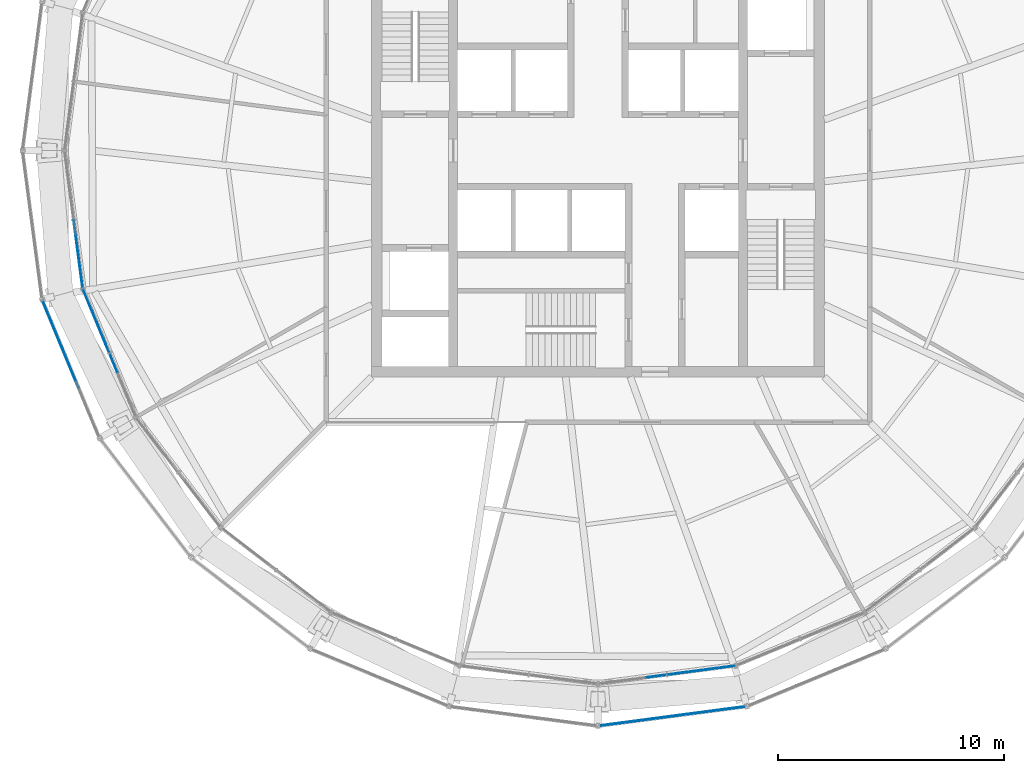
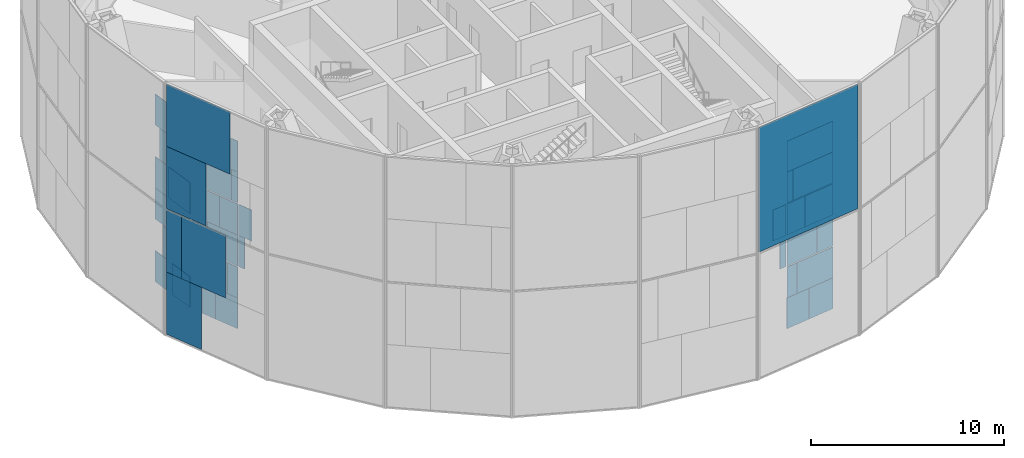
# One storey, part 13 of 26: 41 plates, 5 elements without a shape of their own.
"""IFC4 building model written with IfcOpenShell, lengths in metres."""

from ifc_helpers import new_model, si_unit, direction, frame, origin, origin_2d, place, context, subcontext, project, spatial, rectangle, extrude, material, layer, layer_set, type_object, element, aggregate, save


model = new_model("IFC4")

# Units and contexts
model_context = context("Model", 3, precision=1e-05, world=origin(), true_north=direction((0.0, 1.0)))
body_context = subcontext(model_context, "Body", "Model", "MODEL_VIEW")
ifc_project = project(units=[si_unit("LENGTHUNIT", "METRE"), si_unit("AREAUNIT", "SQUARE_METRE"), si_unit("VOLUMEUNIT", "CUBIC_METRE"), si_unit("PLANEANGLEUNIT", "RADIAN"), si_unit("MASSUNIT", "GRAM", prefix="KILO")], contexts=[model_context])

# Site, building, storey
site_placement = place(None, origin())
site = spatial("IfcSite", under=ifc_project, at=site_placement, CompositionType="ELEMENT")
building_placement = place(site_placement, origin())
building = spatial("IfcBuilding", under=site, at=building_placement, Name="Golbaran Civic Tower", CompositionType="ELEMENT")
storey_placement = place(building_placement, frame((0.0, 0.0, 199.0)))
storey = spatial("IfcBuildingStorey", under=building, at=storey_placement, Name="L48", CompositionType="ELEMENT", Elevation=199.0)

# Curtain wall, plates
ifc_material_1 = material(Name="Aluminium and glass", Category="aluminium")
curtain_wall_type_1 = type_object("IfcCurtainWallType", Name="INNER SKIN CURTAIN WALL EXECUTIVE", PredefinedType="NOTDEFINED", material=ifc_material_1)
curtain_wall_1_placement = place(storey_placement, origin())
curtain_wall_1 = element("IfcCurtainWall", 1, at=curtain_wall_1_placement, inside=storey, type_object=curtain_wall_type_1, Name="Inner skin L48 facet 13 CW2", ObjectType="INNER SKIN", PredefinedType="USERDEFINED")
ifc_material_2 = material(Name="Clear insulating glass", Category="glass")
ifc_layer_1 = layer(ifc_material_2, 0.031982421875, Name="Clear insulating glass")
ifc_layer_set_1 = layer_set([ifc_layer_1], Name="Clear insulating glass")
plate_type_1 = type_object("IfcPlateType", Name="INNER SKIN CURTAIN WALL EXECUTIVE GLAZED PANEL", PredefinedType="CURTAIN_PANEL", material=ifc_layer_set_1)
plate_1_placement = place(storey_placement, frame((-23.068115234375, -3.789794921875, 0.06005859375), z_axis=(0.0, 0.0, 1.0), x_axis=(0.130526192237, -0.991444861372, 0.0)))
plate_1 = element("IfcPlate", 2, at=plate_1_placement, type_object=plate_type_1, Name="CW2 panel 2.1 part 1", PredefinedType="CURTAIN_PANEL", context=body_context, shape_type="SweptSolid", body=[
    extrude(rectangle(XDim=1.43310546875, YDim=0.031982421875, at=origin_2d()), origin(), (0.0, 0.0, 1.0), 1.955078125),
])
plate_2_placement = place(storey_placement, frame((-22.839599609375, -5.52587890625, 4.02978515625), z_axis=(0.0, 0.0, 1.0), x_axis=(0.130526192237, -0.991444861372, 0.0)))
plate_2 = element("IfcPlate", 3, at=plate_2_placement, type_object=plate_type_1, Name="CW2 panel 2.2 part 2", PredefinedType="CURTAIN_PANEL", context=body_context, shape_type="SweptSolid", body=[
    extrude(rectangle(XDim=1.037109375, YDim=0.031982421875, at=origin_2d()), origin(), (0.0, 0.0, 1.0), 1.969970703125),
])
plate_3_placement = place(storey_placement, frame((-22.890625, -5.13671875, 6.0), z_axis=(0.0, 0.0, 1.0), x_axis=(0.130526192237, -0.991444861372, 0.0)))
plate_3 = element("IfcPlate", 4, at=plate_3_placement, type_object=plate_type_1, Name="CW2 panel 2.2 part 4", PredefinedType="CURTAIN_PANEL", context=body_context, shape_type="SweptSolid", body=[
    extrude(rectangle(XDim=1.822021484375, YDim=0.031982421875, at=origin_2d()), origin(), (0.0, 0.0, 1.0), 1.969970703125),
])
plate_4_placement = place(storey_placement, frame((-22.940673828125, -4.758056640625, 8.030029296875), z_axis=(0.0, 0.0, 1.0), x_axis=(0.130526192237, -0.991444861372, 0.0)))
plate_4 = element("IfcPlate", 5, at=plate_4_placement, type_object=plate_type_1, Name="CW2 panel 2.3 part 2", PredefinedType="CURTAIN_PANEL", context=body_context, shape_type="SweptSolid", body=[
    extrude(rectangle(XDim=2.586181640625, YDim=0.031982421875, at=origin_2d()), origin(), (0.0, 0.0, 1.0), 1.955078125),
])
plate_5_placement = place(storey_placement, frame((-22.966796875, -4.559814453125, 9.98486328125), z_axis=(0.0, 0.0, 1.0), x_axis=(0.130526192237, -0.991444861372, 0.0)))
plate_5 = element("IfcPlate", 6, at=plate_5_placement, type_object=plate_type_1, Name="CW2 panel 2.3 part 3", PredefinedType="CURTAIN_PANEL", context=body_context, shape_type="SweptSolid", body=[
    extrude(rectangle(XDim=2.986083984375, YDim=0.031982421875, at=origin_2d()), origin(), (0.0, 0.0, 1.0), 1.955078125),
])

curtain_wall_2_placement = place(storey_placement, origin())
curtain_wall_2 = element("IfcCurtainWall", 7, at=curtain_wall_2_placement, inside=storey, type_object=curtain_wall_type_1, Name="Inner skin L48 facet 14 CW2", ObjectType="INNER SKIN", PredefinedType="USERDEFINED")
plate_6_placement = place(storey_placement, frame((-21.87255859375, -8.251708984375, 0.06005859375), z_axis=(0.0, 0.0, 1.0), x_axis=(0.382683432349, -0.923879532518, 0.0)))
plate_6 = element("IfcPlate", 8, at=plate_6_placement, type_object=plate_type_1, Name="CW2 panel 1.1 part 2", PredefinedType="CURTAIN_PANEL", context=body_context, shape_type="SweptSolid", body=[
    extrude(rectangle(XDim=1.43310546875, YDim=0.031982421875, at=origin_2d()), origin(), (0.0, 0.0, 1.0), 1.955078125),
])
plate_7_placement = place(storey_placement, frame((-21.723388671875, -8.611572265625, 2.014892578125), z_axis=(0.0, 0.0, 1.0), x_axis=(0.382683432349, -0.923879532518, 0.0)))
plate_7 = element("IfcPlate", 9, at=plate_7_placement, type_object=plate_type_1, Name="CW2 panel 1.1 part 4", PredefinedType="CURTAIN_PANEL", context=body_context, shape_type="SweptSolid", body=[
    extrude(rectangle(XDim=0.654052734375, YDim=0.031982421875, at=origin_2d()), origin(), (0.0, 0.0, 1.0), 1.955078125),
])
plate_8_placement = place(storey_placement, frame((-22.54248046875, -6.634033203125, 4.02978515625), z_axis=(0.0, 0.0, 1.0), x_axis=(0.382683432349, -0.923879532518, 0.0)))
plate_8 = element("IfcPlate", 10, at=plate_8_placement, type_object=plate_type_1, Name="CW2 panel 1.2 part 1", PredefinedType="CURTAIN_PANEL", context=body_context, shape_type="SweptSolid", body=[
    extrude(rectangle(XDim=1.037109375, YDim=0.031982421875, at=origin_2d()), origin(), (0.0, 0.0, 1.0), 1.969970703125),
])
plate_9_placement = place(storey_placement, frame((-22.392333984375, -6.99658203125, 6.0), z_axis=(0.0, 0.0, 1.0), x_axis=(0.382683432349, -0.923879532518, 0.0)))
plate_9 = element("IfcPlate", 11, at=plate_9_placement, type_object=plate_type_1, Name="CW2 panel 1.2 part 3", PredefinedType="CURTAIN_PANEL", context=body_context, shape_type="SweptSolid", body=[
    extrude(rectangle(XDim=1.822021484375, YDim=0.031982421875, at=origin_2d()), origin(), (0.0, 0.0, 1.0), 1.969970703125),
])
plate_10_placement = place(storey_placement, frame((-22.246337890625, -7.34912109375, 8.030029296875), z_axis=(0.0, 0.0, 1.0), x_axis=(0.382683432349, -0.923879532518, 0.0)))
plate_10 = element("IfcPlate", 12, at=plate_10_placement, type_object=plate_type_1, Name="CW2 panel 1.3 part 1", PredefinedType="CURTAIN_PANEL", context=body_context, shape_type="SweptSolid", body=[
    extrude(rectangle(XDim=2.5849609375, YDim=0.031982421875, at=origin_2d()), origin(), (0.0, 0.0, 1.0), 1.955078125),
])
plate_11_placement = place(storey_placement, frame((-22.169677734375, -7.534423828125, 9.98486328125), z_axis=(0.0, 0.0, 1.0), x_axis=(0.382683432349, -0.923879532518, 0.0)))
plate_11 = element("IfcPlate", 13, at=plate_11_placement, type_object=plate_type_1, Name="CW2 panel 1.3 part 3", PredefinedType="CURTAIN_PANEL", context=body_context, shape_type="SweptSolid", body=[
    extrude(rectangle(XDim=2.986083984375, YDim=0.031982421875, at=origin_2d()), origin(), (0.0, 0.0, 1.0), 1.955078125),
])

curtain_wall_3_placement = place(storey_placement, origin())
curtain_wall_3 = element("IfcCurtainWall", 14, at=curtain_wall_3_placement, inside=storey, type_object=curtain_wall_type_1, Name="Inner skin L48 facet 19 CW2", ObjectType="INNER SKIN", PredefinedType="USERDEFINED")
plate_12_placement = place(storey_placement, frame((3.789794921875, -23.068115234375, 0.06005859375), z_axis=(0.0, 0.0, 1.0), x_axis=(0.991444861372, 0.130526192237, 0.0)))
plate_12 = element("IfcPlate", 15, at=plate_12_placement, type_object=plate_type_1, Name="CW2 panel 2.1 part 1", PredefinedType="CURTAIN_PANEL", context=body_context, shape_type="SweptSolid", body=[
    extrude(rectangle(XDim=1.43310546875, YDim=0.031982421875, at=origin_2d()), origin(), (0.0, 0.0, 1.0), 1.955078125),
])
plate_13_placement = place(storey_placement, frame((3.40380859375, -23.118896484375, 2.014892578125), z_axis=(0.0, 0.0, 1.0), x_axis=(0.991444861372, 0.130526192237, 0.0)))
plate_13 = element("IfcPlate", 16, at=plate_13_placement, type_object=plate_type_1, Name="CW2 panel 2.1 part 3", PredefinedType="CURTAIN_PANEL", context=body_context, shape_type="SweptSolid", body=[
    extrude(rectangle(XDim=0.654052734375, YDim=0.031982421875, at=origin_2d()), origin(), (0.0, 0.0, 1.0), 1.955078125),
])
plate_14_placement = place(storey_placement, frame((5.52587890625, -22.839599609375, 4.02978515625), z_axis=(0.0, 0.0, 1.0), x_axis=(0.991444861372, 0.130526192237, 0.0)))
plate_14 = element("IfcPlate", 17, at=plate_14_placement, type_object=plate_type_1, Name="CW2 panel 2.2 part 2", PredefinedType="CURTAIN_PANEL", context=body_context, shape_type="SweptSolid", body=[
    extrude(rectangle(XDim=1.037109375, YDim=0.031982421875, at=origin_2d()), origin(), (0.0, 0.0, 1.0), 1.969970703125),
])
plate_15_placement = place(storey_placement, frame((5.13671875, -22.890625, 6.0), z_axis=(0.0, 0.0, 1.0), x_axis=(0.991444861372, 0.130526192237, 0.0)))
plate_15 = element("IfcPlate", 18, at=plate_15_placement, type_object=plate_type_1, Name="CW2 panel 2.2 part 4", PredefinedType="CURTAIN_PANEL", context=body_context, shape_type="SweptSolid", body=[
    extrude(rectangle(XDim=1.822021484375, YDim=0.031982421875, at=origin_2d()), origin(), (0.0, 0.0, 1.0), 1.969970703125),
])
plate_16_placement = place(storey_placement, frame((4.758056640625, -22.940673828125, 8.030029296875), z_axis=(0.0, 0.0, 1.0), x_axis=(0.991444861372, 0.130526192237, 0.0)))
plate_16 = element("IfcPlate", 19, at=plate_16_placement, type_object=plate_type_1, Name="CW2 panel 2.3 part 2", PredefinedType="CURTAIN_PANEL", context=body_context, shape_type="SweptSolid", body=[
    extrude(rectangle(XDim=2.586181640625, YDim=0.031982421875, at=origin_2d()), origin(), (0.0, 0.0, 1.0), 1.955078125),
])
plate_17_placement = place(storey_placement, frame((4.559814453125, -22.966796875, 9.98486328125), z_axis=(0.0, 0.0, 1.0), x_axis=(0.991444861372, 0.130526192237, 0.0)))
plate_17 = element("IfcPlate", 20, at=plate_17_placement, type_object=plate_type_1, Name="CW2 panel 2.3 part 3", PredefinedType="CURTAIN_PANEL", context=body_context, shape_type="SweptSolid", body=[
    extrude(rectangle(XDim=2.986083984375, YDim=0.031982421875, at=origin_2d()), origin(), (0.0, 0.0, 1.0), 1.955078125),
])

# Plate
ifc_material_3 = material(Name="Aluminium faced opaque infill panel", Category="aluminium")
ifc_layer_2 = layer(ifc_material_3, 0.031982421875, Name="Aluminium faced opaque infill panel")
ifc_layer_set_2 = layer_set([ifc_layer_2], Name="Aluminium faced opaque infill panel")
plate_type_2 = type_object("IfcPlateType", Name="INNER SKIN CURTAIN WALL EXECUTIVE OPAQUE INFILL PANEL", PredefinedType="CURTAIN_PANEL", material=ifc_layer_set_2)
plate_18_placement = place(storey_placement, frame((-22.873046875, -5.270263671875, 0.06005859375), z_axis=(0.0, 0.0, 1.0), x_axis=(0.130526192237, -0.991444861372, 0.0)))
plate_18 = element("IfcPlate", 21, at=plate_18_placement, type_object=plate_type_2, Name="CW2 infill panel 2.1 part 2", PredefinedType="CURTAIN_PANEL", context=body_context, shape_type="SweptSolid", body=[
    extrude(rectangle(XDim=1.55322265625, YDim=0.031982421875, at=origin_2d()), origin(), (0.0, 0.0, 1.0), 1.955078125),
])

plate_19_placement = place(storey_placement, frame((-22.924072265625, -4.884033203125, 2.014892578125), z_axis=(0.0, 0.0, 1.0), x_axis=(0.130526192237, -0.991444861372, 0.0)))
plate_19 = element("IfcPlate", 22, at=plate_19_placement, type_object=plate_type_2, Name="CW2 infill panel 2.1 part 4", PredefinedType="CURTAIN_PANEL", context=body_context, shape_type="SweptSolid", body=[
    extrude(rectangle(XDim=2.33203125, YDim=0.031982421875, at=origin_2d()), origin(), (0.0, 0.0, 1.0), 1.955078125),
])

plate_20_placement = place(storey_placement, frame((-23.034423828125, -4.045654296875, 4.02978515625), z_axis=(0.0, 0.0, 1.0), x_axis=(0.130526192237, -0.991444861372, 0.0)))
plate_20 = element("IfcPlate", 23, at=plate_20_placement, type_object=plate_type_2, Name="CW2 infill panel 2.2 part 1", PredefinedType="CURTAIN_PANEL", context=body_context, shape_type="SweptSolid", body=[
    extrude(rectangle(XDim=1.948974609375, YDim=0.031982421875, at=origin_2d()), origin(), (0.0, 0.0, 1.0), 1.969970703125),
])

plate_21_placement = place(storey_placement, frame((-23.085693359375, -3.656494140625, 6.0), z_axis=(0.0, 0.0, 1.0), x_axis=(0.130526192237, -0.991444861372, 0.0)))
plate_21 = element("IfcPlate", 24, at=plate_21_placement, type_object=plate_type_2, Name="CW2 infill panel 2.2 part 3", PredefinedType="CURTAIN_PANEL", context=body_context, shape_type="SweptSolid", body=[
    extrude(rectangle(XDim=1.1640625, YDim=0.031982421875, at=origin_2d()), origin(), (0.0, 0.0, 1.0), 1.969970703125),
])

aggregate(curtain_wall_1, [plate_1, plate_18, plate_19, plate_20, plate_2, plate_21, plate_3, plate_4, plate_5])

plate_22_placement = place(storey_placement, frame((-22.44384765625, -6.872314453125, 0.06005859375), z_axis=(0.0, 0.0, 1.0), x_axis=(0.382683432349, -0.923879532518, 0.0)))
plate_22 = element("IfcPlate", 25, at=plate_22_placement, type_object=plate_type_2, Name="CW2 infill panel 1.1 part 1", PredefinedType="CURTAIN_PANEL", context=body_context, shape_type="SweptSolid", body=[
    extrude(rectangle(XDim=1.552978515625, YDim=0.031982421875, at=origin_2d()), origin(), (0.0, 0.0, 1.0), 1.955078125),
])

plate_23_placement = place(storey_placement, frame((-22.294921875, -7.232177734375, 2.014892578125), z_axis=(0.0, 0.0, 1.0), x_axis=(0.382683432349, -0.923879532518, 0.0)))
plate_23 = element("IfcPlate", 26, at=plate_23_placement, type_object=plate_type_2, Name="CW2 infill panel 1.1 part 3", PredefinedType="CURTAIN_PANEL", context=body_context, shape_type="SweptSolid", body=[
    extrude(rectangle(XDim=2.33203125, YDim=0.031982421875, at=origin_2d()), origin(), (0.0, 0.0, 1.0), 1.955078125),
])

plate_24_placement = place(storey_placement, frame((-21.97119140625, -8.013427734375, 4.02978515625), z_axis=(0.0, 0.0, 1.0), x_axis=(0.382683432349, -0.923879532518, 0.0)))
plate_24 = element("IfcPlate", 27, at=plate_24_placement, type_object=plate_type_2, Name="CW2 infill panel 1.2 part 2", PredefinedType="CURTAIN_PANEL", context=body_context, shape_type="SweptSolid", body=[
    extrude(rectangle(XDim=1.94921875, YDim=0.031982421875, at=origin_2d()), origin(), (0.0, 0.0, 1.0), 1.969970703125),
])

plate_25_placement = place(storey_placement, frame((-21.821044921875, -8.3759765625, 6.0), z_axis=(0.0, 0.0, 1.0), x_axis=(0.382683432349, -0.923879532518, 0.0)))
plate_25 = element("IfcPlate", 28, at=plate_25_placement, type_object=plate_type_2, Name="CW2 infill panel 1.2 part 4", PredefinedType="CURTAIN_PANEL", context=body_context, shape_type="SweptSolid", body=[
    extrude(rectangle(XDim=1.1640625, YDim=0.031982421875, at=origin_2d()), origin(), (0.0, 0.0, 1.0), 1.969970703125),
])

plate_26_placement = place(storey_placement, frame((-21.675048828125, -8.728515625, 8.030029296875), z_axis=(0.0, 0.0, 1.0), x_axis=(0.382683432349, -0.923879532518, 0.0)))
plate_26 = element("IfcPlate", 29, at=plate_26_placement, type_object=plate_type_2, Name="CW2 infill panel 1.3 part 2", PredefinedType="CURTAIN_PANEL", context=body_context, shape_type="SweptSolid", body=[
    extrude(rectangle(XDim=0.401123046875, YDim=0.031982421875, at=origin_2d()), origin(), (0.0, 0.0, 1.0), 1.955078125),
])

plate_27_placement = place(storey_placement, frame((-21.498779296875, -9.154052734375, 4.02978515625), z_axis=(0.0, 0.0, 1.0), x_axis=(0.382683432349, -0.923879532518, 0.0)))
plate_27 = element("IfcPlate", 30, at=plate_27_placement, type_object=plate_type_2, Name="CW2 infill panel 2.2 part 1", PredefinedType="CURTAIN_PANEL", context=body_context, shape_type="SweptSolid", body=[
    extrude(rectangle(XDim=0.39990234375, YDim=0.031982421875, at=origin_2d()), origin(), (0.0, 0.0, 1.0), 1.969970703125),
])

plate_28_placement = place(storey_placement, frame((-21.4072265625, -9.375244140625, 6.0), z_axis=(0.0, 0.0, 1.0), x_axis=(0.382683432349, -0.923879532518, 0.0)))
plate_28 = element("IfcPlate", 31, at=plate_28_placement, type_object=plate_type_2, Name="CW2 infill panel 2.2 part 3", PredefinedType="CURTAIN_PANEL", context=body_context, shape_type="SweptSolid", body=[
    extrude(rectangle(XDim=0.87890625, YDim=0.031982421875, at=origin_2d()), origin(), (0.0, 0.0, 1.0), 1.969970703125),
])

aggregate(curtain_wall_2, [plate_22, plate_6, plate_23, plate_7, plate_8, plate_24, plate_9, plate_25, plate_10, plate_26, plate_11, plate_27, plate_28])

plate_29_placement = place(storey_placement, frame((2.8212890625, -23.195556640625, 4.02978515625), z_axis=(0.0, 0.0, 1.0), x_axis=(0.991444861372, 0.130526192237, 0.0)))
plate_29 = element("IfcPlate", 32, at=plate_29_placement, type_object=plate_type_2, Name="CW2 infill panel 1.2 part 2", PredefinedType="CURTAIN_PANEL", context=body_context, shape_type="SweptSolid", body=[
    extrude(rectangle(XDim=0.401123046875, YDim=0.031982421875, at=origin_2d()), origin(), (0.0, 0.0, 1.0), 1.969970703125),
])

plate_30_placement = place(storey_placement, frame((2.584228515625, -23.226806640625, 6.0), z_axis=(0.0, 0.0, 1.0), x_axis=(0.991444861372, 0.130526192237, 0.0)))
plate_30 = element("IfcPlate", 33, at=plate_30_placement, type_object=plate_type_2, Name="CW2 infill panel 1.2 part 4", PredefinedType="CURTAIN_PANEL", context=body_context, shape_type="SweptSolid", body=[
    extrude(rectangle(XDim=0.879150390625, YDim=0.031982421875, at=origin_2d()), origin(), (0.0, 0.0, 1.0), 1.969970703125),
])

plate_31_placement = place(storey_placement, frame((5.270263671875, -22.873046875, 0.06005859375), z_axis=(0.0, 0.0, 1.0), x_axis=(0.991444861372, 0.130526192237, 0.0)))
plate_31 = element("IfcPlate", 34, at=plate_31_placement, type_object=plate_type_2, Name="CW2 infill panel 2.1 part 2", PredefinedType="CURTAIN_PANEL", context=body_context, shape_type="SweptSolid", body=[
    extrude(rectangle(XDim=1.55322265625, YDim=0.031982421875, at=origin_2d()), origin(), (0.0, 0.0, 1.0), 1.955078125),
])

plate_32_placement = place(storey_placement, frame((4.884033203125, -22.924072265625, 2.014892578125), z_axis=(0.0, 0.0, 1.0), x_axis=(0.991444861372, 0.130526192237, 0.0)))
plate_32 = element("IfcPlate", 35, at=plate_32_placement, type_object=plate_type_2, Name="CW2 infill panel 2.1 part 4", PredefinedType="CURTAIN_PANEL", context=body_context, shape_type="SweptSolid", body=[
    extrude(rectangle(XDim=2.33203125, YDim=0.031982421875, at=origin_2d()), origin(), (0.0, 0.0, 1.0), 1.955078125),
])

plate_33_placement = place(storey_placement, frame((4.045654296875, -23.034423828125, 4.02978515625), z_axis=(0.0, 0.0, 1.0), x_axis=(0.991444861372, 0.130526192237, 0.0)))
plate_33 = element("IfcPlate", 36, at=plate_33_placement, type_object=plate_type_2, Name="CW2 infill panel 2.2 part 1", PredefinedType="CURTAIN_PANEL", context=body_context, shape_type="SweptSolid", body=[
    extrude(rectangle(XDim=1.948974609375, YDim=0.031982421875, at=origin_2d()), origin(), (0.0, 0.0, 1.0), 1.969970703125),
])

plate_34_placement = place(storey_placement, frame((3.656494140625, -23.085693359375, 6.0), z_axis=(0.0, 0.0, 1.0), x_axis=(0.991444861372, 0.130526192237, 0.0)))
plate_34 = element("IfcPlate", 37, at=plate_34_placement, type_object=plate_type_2, Name="CW2 infill panel 2.2 part 3", PredefinedType="CURTAIN_PANEL", context=body_context, shape_type="SweptSolid", body=[
    extrude(rectangle(XDim=1.1640625, YDim=0.031982421875, at=origin_2d()), origin(), (0.0, 0.0, 1.0), 1.969970703125),
])

plate_35_placement = place(storey_placement, frame((3.27783203125, -23.135498046875, 8.030029296875), z_axis=(0.0, 0.0, 1.0), x_axis=(0.991444861372, 0.130526192237, 0.0)))
plate_35 = element("IfcPlate", 38, at=plate_35_placement, type_object=plate_type_2, Name="CW2 infill panel 2.3 part 1", PredefinedType="CURTAIN_PANEL", context=body_context, shape_type="SweptSolid", body=[
    extrude(rectangle(XDim=0.39990234375, YDim=0.031982421875, at=origin_2d()), origin(), (0.0, 0.0, 1.0), 1.955078125),
])

aggregate(curtain_wall_3, [plate_29, plate_30, plate_12, plate_31, plate_13, plate_32, plate_33, plate_14, plate_34, plate_15, plate_35, plate_16, plate_17])

# Curtain wall, plates
curtain_wall_type_2 = type_object("IfcCurtainWallType", Name="OUTER SKIN TERRACOTTA SCREEN", PredefinedType="NOTDEFINED", material=ifc_material_1)
curtain_wall_4_placement = place(storey_placement, origin())
curtain_wall_4 = element("IfcCurtainWall", 39, at=curtain_wall_4_placement, inside=storey, type_object=curtain_wall_type_2, Name="Outer skin L48 facet 14 CW3", ObjectType="OUTER SKIN", PredefinedType="USERDEFINED")
ifc_material_4 = material(Name="Clear laminated glass", Category="glass")
ifc_layer_3 = layer(ifc_material_4, 0.0400390625, Name="Clear laminated glass")
ifc_layer_set_3 = layer_set([ifc_layer_3], Name="Clear laminated glass")
plate_type_3 = type_object("IfcPlateType", Name="OUTER SKIN CLEAR GLASS PANEL", PredefinedType="CURTAIN_PANEL", material=ifc_layer_set_3)
plate_36_placement = place(storey_placement, frame((-24.3447265625, -7.104736328125, 3.31005859375), z_axis=(0.0, 0.0, 1.0), x_axis=(0.382683432446, -0.923879532478, 0.0)))
plate_36 = element("IfcPlate", 40, at=plate_36_placement, type_object=plate_type_3, Name="CW3 panel 1.1 part 3", PredefinedType="CURTAIN_PANEL", context=body_context, shape_type="SweptSolid", body=[
    extrude(rectangle(XDim=0.972900390625, YDim=0.0400390625, at=origin_2d()), origin(), (0.0, 0.0, 1.0), 3.93994140625),
])
plate_37_placement = place(storey_placement, frame((-24.0380859375, -7.84521484375, 7.330078125), z_axis=(0.0, 0.0, 1.0), x_axis=(0.382683432446, -0.923879532478, 0.0)))
plate_37 = element("IfcPlate", 41, at=plate_37_placement, type_object=plate_type_3, Name="CW3 panel 1.2 part 1", PredefinedType="CURTAIN_PANEL", context=body_context, shape_type="SweptSolid", body=[
    extrude(rectangle(XDim=2.575927734375, YDim=0.0400390625, at=origin_2d()), origin(), (0.0, 0.0, 1.0), 3.93994140625),
])
plate_38_placement = place(storey_placement, frame((-23.737060546875, -8.57177734375, 11.27001953125), z_axis=(0.0, 0.0, 1.0), x_axis=(0.382683432446, -0.923879532478, 0.0)))
plate_38 = element("IfcPlate", 42, at=plate_38_placement, type_object=plate_type_3, Name="CW3 panel 1.2 part 4", PredefinedType="CURTAIN_PANEL", context=body_context, shape_type="SweptSolid", body=[
    extrude(rectangle(XDim=4.14892578125, YDim=0.0400390625, at=origin_2d()), origin(), (0.0, 0.0, 1.0), 3.93994140625),
])
ifc_material_5 = material(Name="Terracotta baguette screen", Category="masonry")
ifc_layer_4 = layer(ifc_material_5, 0.0400390625, Name="Terracotta baguette screen")
ifc_layer_set_4 = layer_set([ifc_layer_4], Name="Terracotta baguette screen")
plate_type_4 = type_object("IfcPlateType", Name="OUTER SKIN TERRACOTTA INFILL PANEL", PredefinedType="CURTAIN_PANEL", material=ifc_layer_set_4)
plate_39_placement = place(storey_placement, frame((-24.09228515625, -7.7138671875, -0.6298828125), z_axis=(0.0, 0.0, 1.0), x_axis=(0.382683432446, -0.923879532478, 0.0)))
plate_39 = element("IfcPlate", 43, at=plate_39_placement, type_object=plate_type_4, Name="CW3 infill panel 1.1 part 1", PredefinedType="CURTAIN_PANEL", context=body_context, shape_type="SweptSolid", body=[
    extrude(rectangle(XDim=2.2919921875, YDim=0.0400390625, at=origin_2d()), origin(), (0.0, 0.0, 1.0), 3.93994140625),
])
plate_40_placement = place(storey_placement, frame((-23.60595703125, -8.88818359375, 3.31005859375), z_axis=(0.0, 0.0, 1.0), x_axis=(0.382683432446, -0.923879532478, 0.0)))
plate_40 = element("IfcPlate", 44, at=plate_40_placement, type_object=plate_type_4, Name="CW3 infill panel 1.1 part 4", PredefinedType="CURTAIN_PANEL", context=body_context, shape_type="SweptSolid", body=[
    extrude(rectangle(XDim=2.887939453125, YDim=0.0400390625, at=origin_2d()), origin(), (0.0, 0.0, 1.0), 3.93994140625),
])
aggregate(curtain_wall_4, [plate_39, plate_36, plate_40, plate_37, plate_38])

# Curtain wall, plate
curtain_wall_5_placement = place(storey_placement, origin())
curtain_wall_5 = element("IfcCurtainWall", 45, at=curtain_wall_5_placement, inside=storey, type_object=curtain_wall_type_2, Name="Outer skin L48 facet 19 CW3", ObjectType="OUTER SKIN", PredefinedType="USERDEFINED")
ifc_layer_5 = layer(ifc_material_5, 0.0400390625, Name="Terracotta baguette screen")
ifc_layer_set_5 = layer_set([ifc_layer_5], Name="Terracotta baguette screen")
plate_type_5 = type_object("IfcPlateType", Name="OUTER SKIN TERRACOTTA SCREEN PANEL", PredefinedType="CURTAIN_PANEL", material=ifc_layer_set_5)
plate_41_placement = place(storey_placement, frame((3.29052734375, -24.994873046875, 7.330078125), z_axis=(0.0, 0.0, 1.0), x_axis=(0.991444861376, 0.130526192203, 0.0)))
plate_41 = element("IfcPlate", 46, at=plate_41_placement, type_object=plate_type_5, Name="CW3 terracotta screen panel 1.2", PredefinedType="CURTAIN_PANEL", context=body_context, shape_type="SweptSolid", body=[
    extrude(rectangle(XDim=6.47802734375, YDim=0.0400390625, at=origin_2d()), origin(), (0.0, 0.0, 1.0), 7.8798828125),
])
aggregate(curtain_wall_5, [plate_41])

save(model, "model.ifc")
